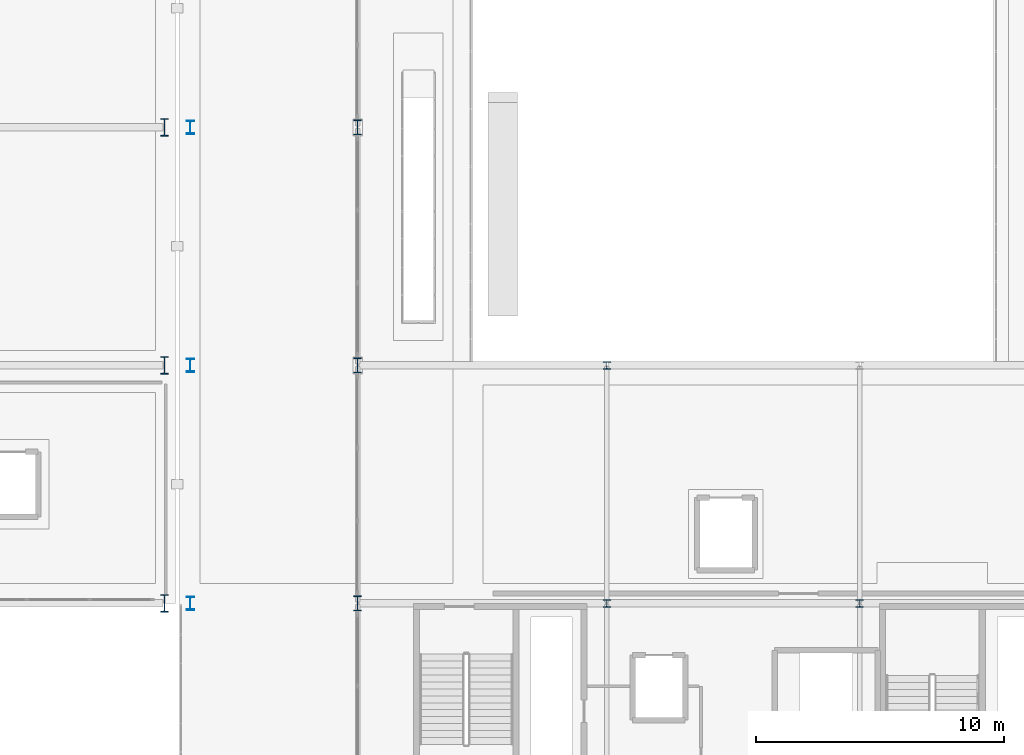
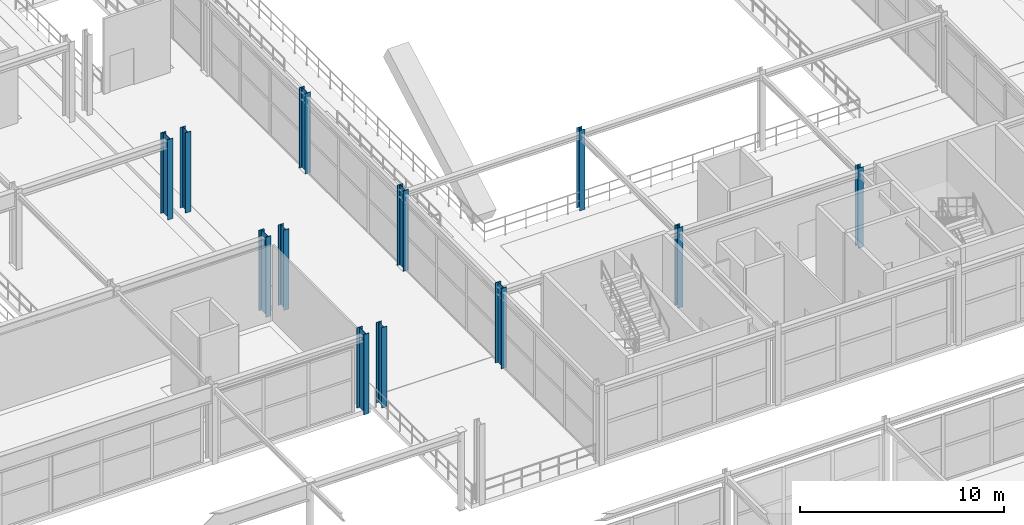
# One storey, part 7 of 125: 12 columns.
"""IFC4 building model written with IfcOpenShell, lengths in metres."""

from ifc_helpers import new_model, si_unit, direction, frame, origin, origin_2d, place, context, subcontext, project, spatial, i_section, extrude, material, material_profile, profile_set, type_object, element, save


model = new_model("IFC4")

# Units and contexts
model_context = context("Model", 3, precision=1e-05, world=origin(), true_north=direction((0.0, 1.0)))
body_context = subcontext(model_context, "Body", "Model", "MODEL_VIEW")
ifc_project = project(units=[si_unit("LENGTHUNIT", "METRE"), si_unit("AREAUNIT", "SQUARE_METRE"), si_unit("VOLUMEUNIT", "CUBIC_METRE"), si_unit("PLANEANGLEUNIT", "RADIAN"), si_unit("MASSUNIT", "GRAM", prefix="KILO")], contexts=[model_context])

# Site, building, storey
site_placement = place(None, origin())
site = spatial("IfcSite", under=ifc_project, at=site_placement, CompositionType="ELEMENT")
building_placement = place(site_placement, origin())
building = spatial("IfcBuilding", under=site, at=building_placement, Name="Myrtia Square Station", CompositionType="ELEMENT")
storey_placement = place(building_placement, frame((0.0, 0.0, 6.0)))
storey = spatial("IfcBuildingStorey", under=building, at=storey_placement, Name="L01", CompositionType="ELEMENT", Elevation=6.0)

# Columns
ifc_material = material(Name="Steel S355", Category="steel")
ifc_material_profile_1 = material_profile(ifc_material, i_section(OverallWidth=0.300048828125, OverallDepth=0.5400390625, WebThickness=0.012451171875, FlangeThickness=0.02392578125, FilletRadius=0.027099609375, at=origin_2d()), Name="HEA 550")
ifc_profile_set_1 = profile_set([ifc_material_profile_1], Name="Steel S355")
column_type_1 = type_object("IfcColumnType", Name="COL-HEA550", PredefinedType="COLUMN", material=ifc_profile_set_1)
for number, where, z_axis, x_axis, name in (
    (1, (72.60009765625, 38.39990234375, 0.0), (0.0, 0.0, 1.0), (1.0, 0.0, 0.0), "Column L01-0265"),
    (2, (72.60009765625, 48.0, 0.0), (0.0, 0.0, 1.0), (1.0, 0.0, 0.0), "Column L01-0287"),
    (3, (72.60009765625, 57.60009765625, 0.0), (0.0, 0.0, 1.0), (1.0, 0.0, 0.0), "Column L01-0309"),
):
    element("IfcColumn", number, at=place(storey_placement, frame(where, z_axis=z_axis, x_axis=x_axis)), inside=storey, type_object=column_type_1, Name=name, PredefinedType="COLUMN", context=body_context, shape_type="SweptSolid", body=[
        extrude(i_section(OverallWidth=0.300048828125, OverallDepth=0.5400390625, WebThickness=0.012451171875, FlangeThickness=0.02392578125, FilletRadius=0.027099609375, at=origin_2d()), origin(), (0.0, 0.0, 1.0), 4.800048828125),
    ])
ifc_material_profile_2 = material_profile(ifc_material, i_section(OverallWidth=0.300048828125, OverallDepth=0.300048828125, WebThickness=0.010986328125, FlangeThickness=0.01904296875, FilletRadius=0.027099609375, at=origin_2d()), Name="HEB 300")
ifc_profile_set_2 = profile_set([ifc_material_profile_2], Name="Steel S355")
column_type_2 = type_object("IfcColumnType", Name="COL-HEB300", PredefinedType="COLUMN", material=ifc_profile_set_2)
for number, where, z_axis, x_axis, name in (
    (4, (89.39990234375, 38.39990234375, 0.0), (0.0, 0.0, 1.0), (1.0, 0.0, 0.0), "Column L01-0424"),
    (5, (89.39990234375, 48.0, 0.0), (0.0, 0.0, 1.0), (1.0, 0.0, 0.0), "Column L01-0429"),
    (6, (99.60009765625, 38.39990234375, 0.0), (0.0, 0.0, 1.0), (1.0, 0.0, 0.0), "Column L01-0456"),
):
    element("IfcColumn", number, at=place(storey_placement, frame(where, z_axis=z_axis, x_axis=x_axis)), inside=storey, type_object=column_type_2, Name=name, PredefinedType="COLUMN", context=body_context, shape_type="SweptSolid", body=[
        extrude(i_section(OverallWidth=0.300048828125, OverallDepth=0.300048828125, WebThickness=0.010986328125, FlangeThickness=0.01904296875, FilletRadius=0.027099609375, at=origin_2d()), origin(), (0.0, 0.0, 1.0), 4.800048828125),
    ])
ifc_material_profile_3 = material_profile(ifc_material, i_section(OverallWidth=0.300048828125, OverallDepth=0.60009765625, WebThickness=0.015380859375, FlangeThickness=0.030029296875, FilletRadius=0.027099609375, at=origin_2d()), Name="HEB 600")
ifc_profile_set_3 = profile_set([ifc_material_profile_3], Name="Steel S355")
column_type_3 = type_object("IfcColumnType", Name="COL-HEB600", PredefinedType="COLUMN", material=ifc_profile_set_3)
for number, where, z_axis, x_axis, name in (
    (7, (79.35009765625, 38.39990234375, 0.0), (0.0, 0.0, 1.0), (1.0, 0.0, 0.0), "Column L01-0275"),
    (8, (79.35009765625, 48.0, 0.0), (0.0, 0.0, 1.0), (1.0, 0.0, 0.0), "Column L01-0297"),
    (9, (79.35009765625, 57.60009765625, 0.0), (0.0, 0.0, 1.0), (1.0, 0.0, 0.0), "Column L01-0319"),
):
    element("IfcColumn", number, at=place(storey_placement, frame(where, z_axis=z_axis, x_axis=x_axis)), inside=storey, type_object=column_type_3, Name=name, PredefinedType="COLUMN", context=body_context, shape_type="SweptSolid", body=[
        extrude(i_section(OverallWidth=0.300048828125, OverallDepth=0.60009765625, WebThickness=0.015380859375, FlangeThickness=0.030029296875, FilletRadius=0.027099609375, at=origin_2d()), origin(), (0.0, 0.0, 1.0), 4.800048828125),
    ])
ifc_material_profile_4 = material_profile(ifc_material, i_section(OverallWidth=0.300048828125, OverallDepth=0.699951171875, WebThickness=0.01708984375, FlangeThickness=0.031982421875, FilletRadius=0.027099609375, at=origin_2d()), Name="HEB 700")
ifc_profile_set_4 = profile_set([ifc_material_profile_4], Name="Steel S355")
column_type_4 = type_object("IfcColumnType", Name="COL-HEB700", PredefinedType="COLUMN", material=ifc_profile_set_4)
for number, where, z_axis, x_axis, name in (
    (10, (71.550048828125, 38.39990234375, 0.0), (0.0, 0.0, 1.0), (1.0, 0.0, 0.0), "Column L01-0213"),
    (11, (71.550048828125, 48.0, 0.0), (0.0, 0.0, 1.0), (1.0, 0.0, 0.0), "Column L01-0216"),
    (12, (71.550048828125, 57.60009765625, 0.0), (0.0, 0.0, 1.0), (1.0, 0.0, 0.0), "Column L01-0219"),
):
    element("IfcColumn", number, at=place(storey_placement, frame(where, z_axis=z_axis, x_axis=x_axis)), inside=storey, type_object=column_type_4, Name=name, PredefinedType="COLUMN", context=body_context, shape_type="SweptSolid", body=[
        extrude(i_section(OverallWidth=0.300048828125, OverallDepth=0.699951171875, WebThickness=0.01708984375, FlangeThickness=0.031982421875, FilletRadius=0.027099609375, at=origin_2d()), origin(), (0.0, 0.0, 1.0), 4.800048828125),
    ])

save(model, "model.ifc")
